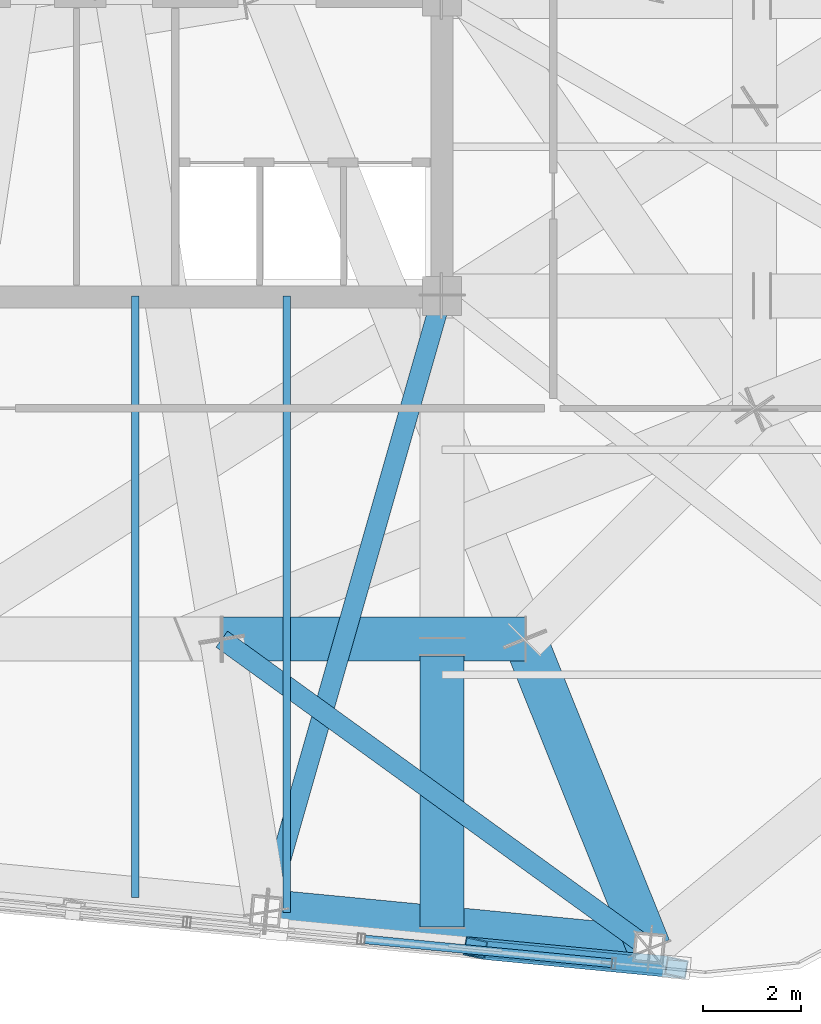
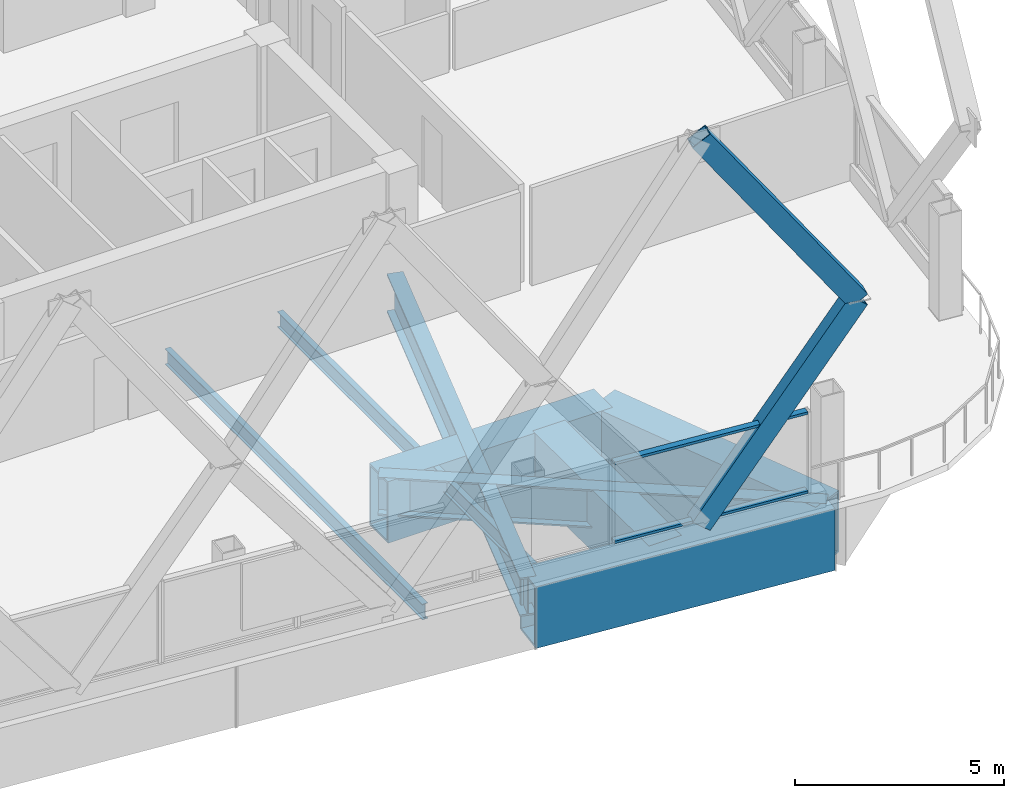
# One storey, part 9 of 31: 8 beams, 4 members, 1 element without a shape of its own.
"""IFC4 building model written with IfcOpenShell, lengths in metres."""

from ifc_helpers import new_model, si_unit, direction, frame, origin, origin_2d, place, context, subcontext, project, spatial, hollow_rectangle, i_section, extrude, material, layer, layer_set, material_profile, profile_set, type_object, element, aggregate, save


model = new_model("IFC4")

# Units and contexts
model_context = context("Model", 3, precision=1e-05, world=origin(), true_north=direction((0.0, 1.0)))
body_context = subcontext(model_context, "Body", "Model", "MODEL_VIEW")
ifc_project = project(units=[si_unit("LENGTHUNIT", "METRE"), si_unit("AREAUNIT", "SQUARE_METRE"), si_unit("VOLUMEUNIT", "CUBIC_METRE"), si_unit("PLANEANGLEUNIT", "RADIAN"), si_unit("MASSUNIT", "GRAM", prefix="KILO")], contexts=[model_context])

# Site, building, storey
site_placement = place(None, origin())
site = spatial("IfcSite", under=ifc_project, at=site_placement, CompositionType="ELEMENT")
building_placement = place(site_placement, origin())
building = spatial("IfcBuilding", under=site, at=building_placement, Name="Qhalaya Broadcast Tower", CompositionType="ELEMENT")
storey_placement = place(building_placement, frame((0.0, 0.0, 242.85009765625)))
storey = spatial("IfcBuildingStorey", under=building, at=storey_placement, Name="L71", CompositionType="ELEMENT", Elevation=242.85009765625)

# Beams
ifc_material_1 = material(Name="Structural Steel ASTM A572 Grade 50", Category="steel")
ifc_material_profile_1 = material_profile(ifc_material_1, hollow_rectangle(XDim=0.89990234375, YDim=1.800048828125, WallThickness=0.06005859375, at=origin_2d()), Name="BOX 900x1800x60")
ifc_profile_set_1 = profile_set([ifc_material_profile_1], Name="Structural Steel ASTM A572 Grade 50")
beam_type_1 = type_object("IfcBeamType", Name="Block Cantilever Transfer Box Girder TG1", PredefinedType="USERDEFINED", material=ifc_profile_set_1)
beam_1_placement = place(storey_placement, frame((5.77783203125, -21.33642578125, -1.090087890625), z_axis=(0.995397308407, -0.095834223619, 0.0), x_axis=(0.095834223619, 0.995397308407, 0.0)))
element("IfcBeam", 1, at=beam_1_placement, inside=storey, type_object=beam_type_1, Name="L71 TG1 L71-SPR-03", ObjectType="GIRDER", PredefinedType="USERDEFINED", context=body_context, shape_type="SweptSolid", body=[
    extrude(hollow_rectangle(XDim=0.89990234375, YDim=1.800048828125, WallThickness=0.06005859375, at=origin_2d()), origin(), (0.0, 0.0, 1.0), 7.86669921875),
])
beam_2_placement = place(storey_placement, frame((4.8701171875, -15.77001953125, -1.090087890625), z_axis=(1.0, 0.0, 0.0), x_axis=(0.0, 1.0, 0.0)))
element("IfcBeam", 2, at=beam_2_placement, inside=storey, type_object=beam_type_1, Name="L71 TG1 L71-TGL-03", ObjectType="GIRDER", PredefinedType="USERDEFINED", context=body_context, shape_type="SweptSolid", body=[
    extrude(hollow_rectangle(XDim=0.89990234375, YDim=1.800048828125, WallThickness=0.06005859375, at=origin_2d()), origin(), (0.0, 0.0, 1.0), 6.199951171875),
])
beam_3_placement = place(storey_placement, frame((11.070068359375, -15.77001953125, -1.090087890625), z_axis=(0.372681978251, -0.927959127918, 0.0), x_axis=(0.927959127918, 0.372681978251, 0.0)))
element("IfcBeam", 3, at=beam_3_placement, inside=storey, type_object=beam_type_1, Name="L71 Cantilever Transfer Box Girder 04", ObjectType="GIRDER", PredefinedType="USERDEFINED", context=body_context, shape_type="SweptSolid", body=[
    extrude(hollow_rectangle(XDim=0.89990234375, YDim=1.800048828125, WallThickness=0.06005859375, at=origin_2d()), origin(), (0.0, 0.0, 1.0), 6.81103515625),
])
beam_4_placement = place(storey_placement, frame((9.375, -21.66259765625, -1.090087890625), z_axis=(0.0, 1.0, 0.0), x_axis=(-1.0, 0.0, 0.0)))
element("IfcBeam", 4, at=beam_4_placement, inside=storey, type_object=beam_type_1, Name="L71 TG1 L71-PGXS2-OV1", ObjectType="GIRDER", PredefinedType="USERDEFINED", context=body_context, shape_type="SweptSolid", body=[
    extrude(hollow_rectangle(XDim=0.89990234375, YDim=1.800048828125, WallThickness=0.06005859375, at=origin_2d()), origin(), (0.0, 0.0, 1.0), 5.552490234375),
])
ifc_material_2 = material(Name="Structural Steel ASTM A992 Grade 50", Category="steel")
ifc_material_profile_2 = material_profile(ifc_material_2, i_section(OverallWidth=0.154052734375, OverallDepth=0.458984375, WebThickness=0.009033203125, FlangeThickness=0.015380859375, at=origin_2d()), Name="W18X46")
ifc_profile_set_2 = profile_set([ifc_material_profile_2], Name="Structural Steel ASTM A992 Grade 50")
beam_type_2 = type_object("IfcBeamType", Name="Composite Floor Joist J04", PredefinedType="JOIST", material=ifc_profile_set_2)
beam_5_placement = place(storey_placement, frame((3.10009765625, -21.058349609375, -0.419677734375), z_axis=(0.0, 1.0, 0.0), x_axis=(-1.0, 0.0, 0.0)))
element("IfcBeam", 5, at=beam_5_placement, inside=storey, type_object=beam_type_2, Name="L71 J04 L71-JNS4-1", PredefinedType="JOIST", context=body_context, shape_type="SweptSolid", body=[
    extrude(i_section(OverallWidth=0.154052734375, OverallDepth=0.458984375, WebThickness=0.009033203125, FlangeThickness=0.015380859375, at=origin_2d()), origin(), (0.0, 0.0, 1.0), 12.308349609375),
])
beam_6_placement = place(storey_placement, frame((6.199951171875, -21.35693359375, -0.419677734375), z_axis=(0.0, 1.0, 0.0), x_axis=(-1.0, 0.0, 0.0)))
element("IfcBeam", 6, at=beam_6_placement, inside=storey, type_object=beam_type_2, Name="L71 J04 L71-JNS5-1", PredefinedType="JOIST", context=body_context, shape_type="SweptSolid", body=[
    extrude(i_section(OverallWidth=0.154052734375, OverallDepth=0.458984375, WebThickness=0.009033203125, FlangeThickness=0.015380859375, at=origin_2d()), origin(), (0.0, 0.0, 1.0), 12.60693359375),
])

# Members
ifc_material_profile_3 = material_profile(ifc_material_1, hollow_rectangle(XDim=0.3798828125, YDim=0.550048828125, WallThickness=0.02490234375, at=origin_2d()), Name="BOX 380x550x25")
ifc_profile_set_3 = profile_set([ifc_material_profile_3], Name="Structural Steel ASTM A572 Grade 50")
member_type_1 = type_object("IfcMemberType", Name="Exoskeleton Diamond Diagonal Upper EX4", PredefinedType="BRACE", material=ifc_profile_set_3)
member_1_placement = place(storey_placement, frame((10.05859375, -22.090087890625, 0.35986328125), z_axis=(0.60538569949, -0.058300658059, 0.793794172392), x_axis=(0.171149948175, 0.983519052802, -0.058292092221)))
element("IfcMember", 7, at=member_1_placement, inside=storey, type_object=member_type_1, Name="B6 Exoskeleton Diamond Brace S3-D2", PredefinedType="BRACE", context=body_context, shape_type="SweptSolid", body=[
    extrude(hollow_rectangle(XDim=0.3798828125, YDim=0.550048828125, WallThickness=0.02490234375, at=origin_2d()), origin(), (0.0, 0.0, 1.0), 6.79638671875),
])
member_2_placement = place(storey_placement, frame((14.173095703125, -22.486328125, 5.7548828125), z_axis=(-0.572776281238, 0.055160262532, 0.817853701519), x_axis=(-0.173445332339, -0.983297999666, -0.055152158097)))
element("IfcMember", 8, at=member_2_placement, inside=storey, type_object=member_type_1, Name="B6 Exoskeleton Diamond Brace S3-D4", PredefinedType="BRACE", context=body_context, shape_type="SweptSolid", body=[
    extrude(hollow_rectangle(XDim=0.3798828125, YDim=0.550048828125, WallThickness=0.02490234375, at=origin_2d()), origin(), (0.0, 0.0, 1.0), 7.183349609375),
])

# Beams
ifc_material_profile_4 = material_profile(ifc_material_2, i_section(OverallWidth=0.404052734375, OverallDepth=1.117919921875, WebThickness=0.026123046875, FlangeThickness=0.044921875, at=origin_2d()), Name="W44X335")
ifc_profile_set_4 = profile_set([ifc_material_profile_4], Name="Structural Steel ASTM A992 Grade 50")
beam_type_3 = type_object("IfcBeamType", Name="Podium Long-Span Primary Girder PG1", PredefinedType="USERDEFINED", material=ifc_profile_set_4)
beam_7_placement = place(storey_placement, frame((9.375, -8.75, -0.7490234375), z_axis=(-0.274795024906, -0.961502831138, 0.0), x_axis=(0.961502831138, -0.274795024906, 0.0)))
element("IfcBeam", 9, at=beam_7_placement, inside=storey, type_object=beam_type_3, Name="L71 Column-to-Column Moment Tie Girder 03-1", ObjectType="GIRDER", PredefinedType="USERDEFINED", context=body_context, shape_type="SweptSolid", body=[
    extrude(i_section(OverallWidth=0.404052734375, OverallDepth=1.117919921875, WebThickness=0.026123046875, FlangeThickness=0.044921875, at=origin_2d()), origin(), (0.0, 0.0, 1.0), 13.09033203125),
])
beam_8_placement = place(storey_placement, frame((4.8701171875, -15.77001953125, -0.7490234375), z_axis=(0.810268326052, -0.586059075347, 0.0), x_axis=(0.586059075347, 0.810268326052, 0.0)))
element("IfcBeam", 10, at=beam_8_placement, inside=storey, type_object=beam_type_3, Name="L71 Column-to-Column Moment Tie Girder 04-2", ObjectType="GIRDER", PredefinedType="USERDEFINED", context=body_context, shape_type="SweptSolid", body=[
    extrude(i_section(OverallWidth=0.404052734375, OverallDepth=1.117919921875, WebThickness=0.026123046875, FlangeThickness=0.044921875, at=origin_2d()), origin(), (0.0, 0.0, 1.0), 10.784423828125),
])

# Curtain wall, members
ifc_material_3 = material(Name="Fired Architectural Terracotta", Category="masonry")
ifc_layer = layer(ifc_material_3, 0.219970703125, Name="Fired Architectural Terracotta")
ifc_layer_set = layer_set([ifc_layer], Name="Fired Architectural Terracotta")
curtain_wall_type = type_object("IfcCurtainWallType", Name="Block-Cap Unitised Terracotta Spandrel Wall CW-07", PredefinedType="NOTDEFINED", material=ifc_layer_set)
curtain_wall_placement = place(storey_placement, origin())
curtain_wall = element("IfcCurtainWall", 11, at=curtain_wall_placement, inside=storey, type_object=curtain_wall_type, Name="L71 Unitised Curtain Wall L71-CW-S5", PredefinedType="NOTDEFINED")
ifc_material_4 = material(Name="Anodised Aluminium 6063-T6", Category="aluminium")
ifc_material_profile_5 = material_profile(ifc_material_4, hollow_rectangle(XDim=0.074951171875, YDim=0.179931640625, WallThickness=0.00390625, at=origin_2d()), Name="ALU-TRN 75x180x4")
ifc_profile_set_5 = profile_set([ifc_material_profile_5], Name="Anodised Aluminium 6063-T6")
member_type_2 = type_object("IfcMemberType", Name="Unitised Curtain-Wall Transom T01", PredefinedType="USERDEFINED", material=ifc_profile_set_5)
member_3_placement = place(storey_placement, frame((7.797607421875, -21.91259765625, 0.517333984375), z_axis=(0.995395272077, -0.09585537192, 0.0), x_axis=(0.0, 0.0, 1.0)))
member_3 = element("IfcMember", 12, at=member_3_placement, type_object=member_type_2, Name="CW-07 transom 1.1", ObjectType="TRANSOM", PredefinedType="USERDEFINED", context=body_context, shape_type="SweptSolid", body=[
    extrude(hollow_rectangle(XDim=0.074951171875, YDim=0.179931640625, WallThickness=0.00390625, at=origin_2d()), origin(), (0.0, 0.0, 1.0), 5.076171875),
])
member_4_placement = place(storey_placement, frame((7.797607421875, -21.91259765625, 2.822509765625), z_axis=(0.995395272077, -0.09585537192, 0.0), x_axis=(0.0, 0.0, 1.0)))
member_4 = element("IfcMember", 13, at=member_4_placement, type_object=member_type_2, Name="CW-07 transom 1.2", ObjectType="TRANSOM", PredefinedType="USERDEFINED", context=body_context, shape_type="SweptSolid", body=[
    extrude(hollow_rectangle(XDim=0.074951171875, YDim=0.179931640625, WallThickness=0.00390625, at=origin_2d()), origin(), (0.0, 0.0, 1.0), 5.076171875),
])
aggregate(curtain_wall, [member_3, member_4])

save(model, "model.ifc")
